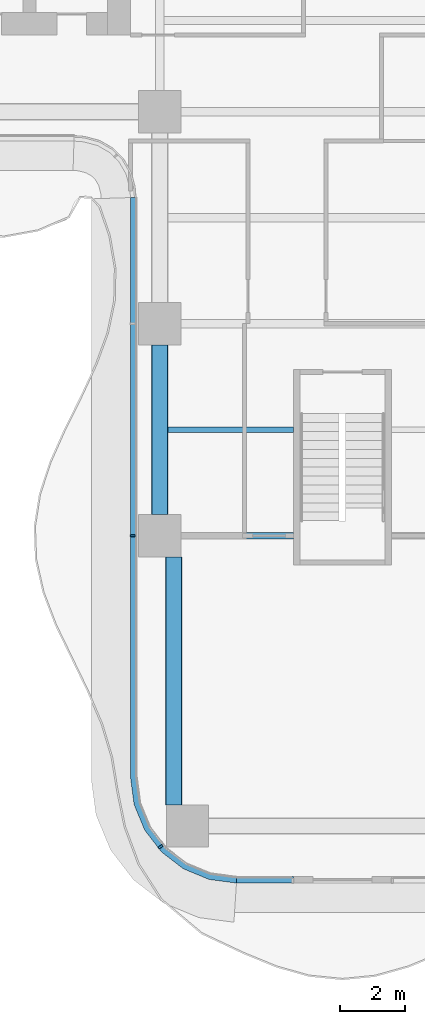
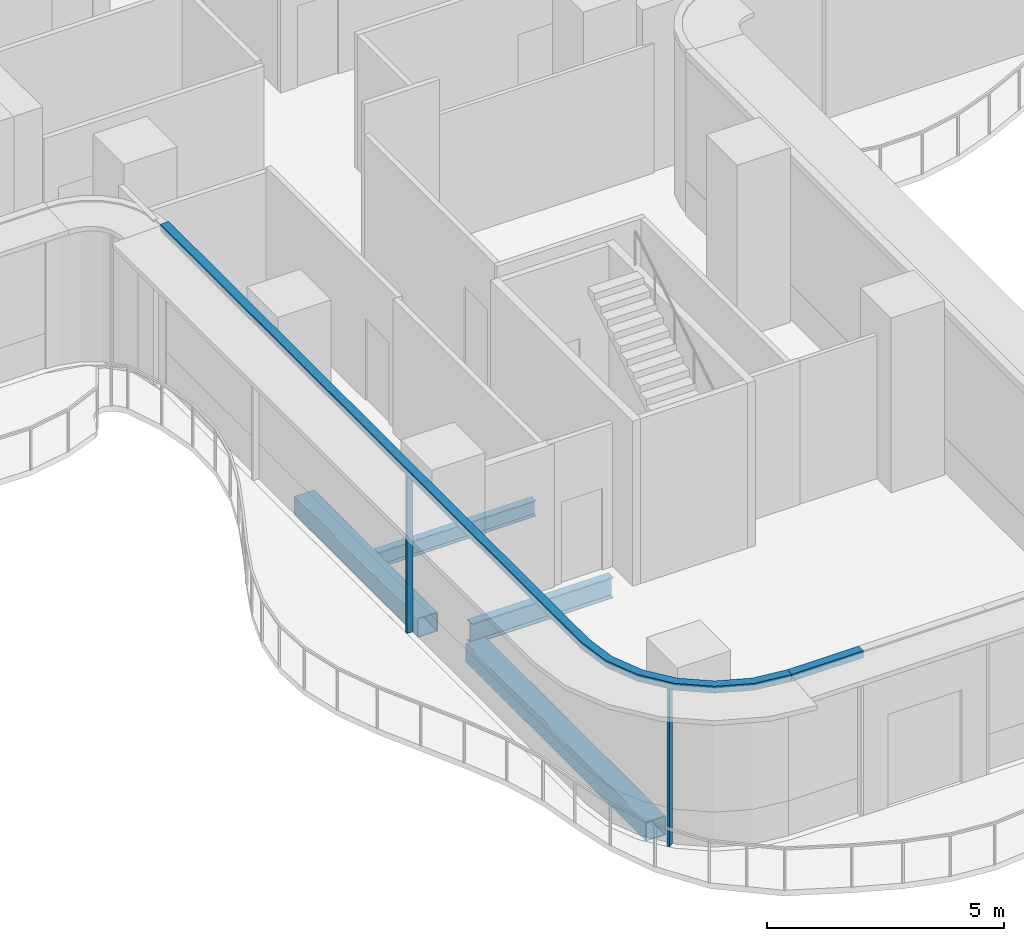
# One storey, part 2 of 21: 4 beams, 4 members, 2 elements without a shape of their own.
"""IFC4 building model written with IfcOpenShell, lengths in metres."""

import ifcopenshell
import ifcopenshell.guid

model = None  # the IFC model being written
_history = None  # IfcOwnerHistory: only IFC2X3 demands one
_inside = {}  # id of a spatial element -> (the spatial element, [elements in it])
_under = {}  # id of a project, library or spatial element -> (it, [spatial elements below it])
_declared = {}  # id of a project -> (the project, [libraries it declares])
_typed = {}  # id of a type object -> (the type object, [elements of that type])
_made_of = {}  # id of a material, layer set ... -> (it, [elements and type objects made of it])


def new_model(schema):
    """Start an empty IFC model of exactly this schema.

    Asked for "IFC4X3", IfcOpenShell would pick the latest addendum, in which some entities
    have other attributes; the version numbers below select the first issue.
    IFC2X3 requires an IfcOwnerHistory on every rooted entity: one is made here for all.
    """
    global model, _history
    if schema == "IFC4X3":
        model = ifcopenshell.file(schema_version=(4, 3, 0, 0))
    else:
        model = ifcopenshell.file(schema=schema)
    _inside.clear()
    _under.clear()
    _declared.clear()
    _typed.clear()
    _made_of.clear()
    _history = None
    if model.schema == "IFC2X3":
        org = make("IfcOrganization", Name="unknown")
        user = make(
            "IfcPersonAndOrganization",
            ThePerson=make("IfcPerson", FamilyName="unknown"),
            TheOrganization=org,
        )
        app = make(
            "IfcApplication",
            ApplicationDeveloper=org,
            Version="unknown",
            ApplicationFullName="unknown",
            ApplicationIdentifier="unknown",
        )
        _history = make(
            "IfcOwnerHistory",
            OwningUser=user,
            OwningApplication=app,
            ChangeAction="ADDED",
            CreationDate=0,
        )
    return model


def make(cls, **values):
    """One entity of the class cls with the attributes given. An attribute that is None is left unset."""
    return model.create_entity(
        cls, **{name: value for name, value in values.items() if value is not None}
    )


def rooted(cls, **values):
    """An entity with a GlobalId (a new one), such as an element, a storey or a relation."""
    return make(cls, GlobalId=ifcopenshell.guid.new(), OwnerHistory=_history, **values)


def si_unit(unit_type, name, prefix=None):
    """IfcSIUnit, for example si_unit("LENGTHUNIT", "METRE", prefix="MILLI")."""
    return make("IfcSIUnit", UnitType=unit_type, Prefix=prefix, Name=name)


def assignment(units):
    """IfcUnitAssignment: the units of a project."""
    return None if units is None else make("IfcUnitAssignment", Units=units)


def point(xyz):
    """IfcCartesianPoint."""
    return None if xyz is None else make("IfcCartesianPoint", Coordinates=xyz)


def direction(xyz):
    """IfcDirection."""
    return None if xyz is None else make("IfcDirection", DirectionRatios=xyz)


def frame(location, z_axis=None, x_axis=None):
    """IfcAxis2Placement3D, a coordinate frame: its origin and axes. An axis left out is left unset."""
    return make(
        "IfcAxis2Placement3D",
        Location=point(location),
        Axis=direction(z_axis),
        RefDirection=direction(x_axis),
    )


def frame_2d(location, x_axis=None):
    """IfcAxis2Placement2D, a coordinate frame in the plane: its origin and x axis."""
    return make(
        "IfcAxis2Placement2D", Location=point(location), RefDirection=direction(x_axis)
    )


def origin():
    """The frame at (0, 0, 0) with its axes left unset."""
    return frame((0.0, 0.0, 0.0))


def origin_2d():
    """The frame at (0, 0) in the plane with its x axis left unset."""
    return frame_2d((0.0, 0.0))


def place(relative_to, where):
    """IfcLocalPlacement: puts the frame where relative to a parent placement (None: the world)."""
    return make(
        "IfcLocalPlacement", PlacementRelTo=relative_to, RelativePlacement=where
    )


def context(
    kind, dimensions, precision=None, world=None, true_north=None, identifier=None
):
    """IfcGeometricRepresentationContext, for example the 3D "Model" context."""
    return make(
        "IfcGeometricRepresentationContext",
        ContextIdentifier=identifier,
        ContextType=kind,
        CoordinateSpaceDimension=dimensions,
        Precision=precision,
        WorldCoordinateSystem=world,
        TrueNorth=true_north,
    )


def subcontext(parent, identifier, kind, view, scale=None):
    """IfcGeometricRepresentationSubContext, for example "Body" below "Model"."""
    return make(
        "IfcGeometricRepresentationSubContext",
        ContextIdentifier=identifier,
        ContextType=kind,
        ParentContext=parent,
        TargetScale=scale,
        TargetView=view,
    )


def project(units=None, contexts=None):
    """IfcProject with its units and contexts."""
    return rooted(
        "IfcProject",
        Name="project",
        RepresentationContexts=contexts,
        UnitsInContext=assignment(units),
    )


def spatial(cls, under=None, at=None, **own):
    """A site, building, storey or space (cls), placed at a placement, below another one or the project."""
    s = rooted(cls, ObjectPlacement=at, **own)
    if under is not None:
        _under.setdefault(under.id(), (under, []))[1].append(s)
    return s


def polyline(points):
    """IfcPolyline through the points."""
    return make("IfcPolyline", Points=[point(p) for p in points])


def profile(cls, at=None, kind="AREA", **sizes):
    """A parametric profile (cls). Its sizes go by their IFC names, for example OverallWidth=200.0."""
    return make(cls, ProfileType=kind, Position=at, **sizes)


def rectangle(**sizes):
    """IfcRectangleProfileDef."""
    return profile("IfcRectangleProfileDef", **sizes)


def hollow_rectangle(**sizes):
    """IfcRectangleHollowProfileDef."""
    return profile("IfcRectangleHollowProfileDef", **sizes)


def i_section(**sizes):
    """IfcIShapeProfileDef."""
    return profile("IfcIShapeProfileDef", **sizes)


def outline(outer, holes=None, kind="AREA"):
    """IfcArbitraryClosedProfileDef: a profile drawn as a closed curve; with holes, ...WithVoids."""
    if holes is None:
        return make("IfcArbitraryClosedProfileDef", ProfileType=kind, OuterCurve=outer)
    return make(
        "IfcArbitraryProfileDefWithVoids",
        ProfileType=kind,
        OuterCurve=outer,
        InnerCurves=holes,
    )


def extrude(swept, where, along, depth):
    """IfcExtrudedAreaSolid: the profile swept, set in the frame where, extruded along a direction by depth."""
    return make(
        "IfcExtrudedAreaSolid",
        SweptArea=swept,
        Position=where,
        ExtrudedDirection=direction(along),
        Depth=depth,
    )


def shape(context_of_items, identifier, shape_type, items):
    """IfcShapeRepresentation: the items that make up one representation, for example the "Body"."""
    return make(
        "IfcShapeRepresentation",
        ContextOfItems=context_of_items,
        RepresentationIdentifier=identifier,
        RepresentationType=shape_type,
        Items=items,
    )


def source(mapping_origin, context_of_items, identifier, shape_type, items):
    """IfcRepresentationMap: a shape defined once, which mapped items show again and again."""
    return make(
        "IfcRepresentationMap",
        MappingOrigin=mapping_origin,
        MappedRepresentation=shape(context_of_items, identifier, shape_type, items),
    )


def transform(
    local_origin,
    x_axis=None,
    y_axis=None,
    z_axis=None,
    scale=None,
    scale2=None,
    scale3=None,
    uniform=True,
):
    """IfcCartesianTransformationOperator3D, or its non-uniform kind. x_axis, y_axis, z_axis: its Axis1, 2, 3."""
    if uniform:
        return make(
            "IfcCartesianTransformationOperator3D",
            Axis1=direction(x_axis),
            Axis2=direction(y_axis),
            LocalOrigin=point(local_origin),
            Scale=scale,
            Axis3=direction(z_axis),
        )
    return make(
        "IfcCartesianTransformationOperator3DnonUniform",
        Axis1=direction(x_axis),
        Axis2=direction(y_axis),
        LocalOrigin=point(local_origin),
        Scale=scale,
        Axis3=direction(z_axis),
        Scale2=scale2,
        Scale3=scale3,
    )


def mapped(mapping_source, mapping_target):
    """IfcMappedItem: shows the shape of a source again, moved by a transform."""
    return make(
        "IfcMappedItem", MappingSource=mapping_source, MappingTarget=mapping_target
    )


def material(Name=None, Category=None):
    """IfcMaterial."""
    return make("IfcMaterial", Name=Name, Category=Category)


def layer(
    of_material, thickness, ventilated=None, Name=None, Category=None, Priority=None
):
    """IfcMaterialLayer: one layer of a wall or slab, of a material (None: an air gap)."""
    return make(
        "IfcMaterialLayer",
        Material=of_material,
        LayerThickness=thickness,
        IsVentilated=ventilated,
        Name=Name,
        Category=Category,
        Priority=Priority,
    )


def layer_set(layers, Name=None):
    """IfcMaterialLayerSet."""
    return make("IfcMaterialLayerSet", MaterialLayers=layers, LayerSetName=Name)


def material_profile(
    of_material, cross_section, Name=None, Category=None, Priority=None
):
    """IfcMaterialProfile: a cross section and its material."""
    return make(
        "IfcMaterialProfile",
        Name=Name,
        Material=of_material,
        Profile=cross_section,
        Priority=Priority,
        Category=Category,
    )


def profile_set(profiles, Name=None, composite=None):
    """IfcMaterialProfileSet."""
    return make(
        "IfcMaterialProfileSet",
        Name=Name,
        MaterialProfiles=profiles,
        CompositeProfile=composite,
    )


def made_of(thing, what):
    """Note that an element or type object is made of a material, layer set ...; save() writes the relation."""
    if what is not None:
        _made_of.setdefault(what.id(), (what, []))[1].append(thing)
    return thing


def type_object(cls, material=None, **own):
    """A type object (cls), such as IfcWallType, which elements share."""
    return made_of(rooted(cls, **own), material)


def element(
    cls,
    number,
    at=None,
    inside=None,
    cuts=None,
    type_object=None,
    material=None,
    context=None,
    identifier="Body",
    shape_type=None,
    held_by="IfcProductDefinitionShape",
    body=None,
    shapes=None,
    **own,
):
    """One element of the class cls, such as IfcWall. Its Tag is "e" and its number.

    at: its placement. inside: the storey or other place that contains it. cuts: it is an
    opening in that element (IfcRelVoidsElement). A single representation is given by context,
    identifier, shape_type and body (its items); several are given by shapes. held_by: the class
    of the entity that holds the representations. save() writes the other relations.
    """
    e = rooted(cls, Tag="e%d" % number, ObjectPlacement=at, **own)
    if body is not None:
        shapes = [shape(context, identifier, shape_type, body)]
    if shapes is not None:
        e.Representation = make(held_by, Representations=shapes)
    if inside is not None:
        _inside.setdefault(inside.id(), (inside, []))[1].append(e)
    if cuts is not None:
        rooted(
            "IfcRelVoidsElement", RelatingBuildingElement=cuts, RelatedOpeningElement=e
        )
    if type_object is not None:
        _typed.setdefault(type_object.id(), (type_object, []))[1].append(e)
    return made_of(e, material)


def aggregate(whole, parts):
    """IfcRelAggregates: a whole, such as a stair, and the parts it consists of."""
    return rooted("IfcRelAggregates", RelatingObject=whole, RelatedObjects=parts)


def save(model, path):
    """Write the relations noted so far, then the file.

    IfcRelAggregates (storeys below a building ...), IfcRelContainedInSpatialStructure (elements
    in a storey), IfcRelDefinesByType, IfcRelAssociatesMaterial and IfcRelDeclares: one each for
    every whole, place, type object, material and project.
    """
    for whole, parts in _under.values():
        aggregate(whole, parts)
    for where, things in _inside.values():
        rooted(
            "IfcRelContainedInSpatialStructure",
            RelatedElements=things,
            RelatingStructure=where,
        )
    for kind, things in _typed.values():
        rooted("IfcRelDefinesByType", RelatedObjects=things, RelatingType=kind)
    for what, things in _made_of.values():
        rooted("IfcRelAssociatesMaterial", RelatedObjects=things, RelatingMaterial=what)
    for by, libraries in _declared.values():
        rooted("IfcRelDeclares", RelatingContext=by, RelatedDefinitions=libraries)
    model.write(path)


model = new_model("IFC4")

# Units and contexts
model_context = context("Model", 3, precision=1e-05, world=origin(), true_north=direction((0.0, 1.0)))
body_context = subcontext(model_context, "Body", "Model", "MODEL_VIEW")
ifc_project = project(units=[si_unit("LENGTHUNIT", "METRE"), si_unit("AREAUNIT", "SQUARE_METRE"), si_unit("VOLUMEUNIT", "CUBIC_METRE"), si_unit("PLANEANGLEUNIT", "RADIAN"), si_unit("MASSUNIT", "GRAM", prefix="KILO")], contexts=[model_context])

# Site, building, storey
site_placement = place(None, origin())
site = spatial("IfcSite", under=ifc_project, at=site_placement, CompositionType="ELEMENT")
building_placement = place(site_placement, origin())
building = spatial("IfcBuilding", under=site, at=building_placement, Name="Trellis Farm Tower", CompositionType="ELEMENT")
storey_placement = place(building_placement, frame((0.0, 0.0, 97.5)))
storey = spatial("IfcBuildingStorey", under=building, at=storey_placement, Name="L20", CompositionType="ELEMENT", Elevation=97.5)

# Beams
ifc_material_1 = material(Name="Steel S355", Category="steel")
ifc_material_profile_1 = material_profile(ifc_material_1, i_section(OverallWidth=0.209228515625, OverallDepth=0.533203125, WebThickness=0.010009765625, FlangeThickness=0.015625, FilletRadius=0.0126953125, at=origin_2d()), Name="UB 533x210x92")
ifc_profile_set_1 = profile_set([ifc_material_profile_1], Name="Steel S355")
beam_type_1 = type_object("IfcBeamType", Name="UB 533x210x92", PredefinedType="BEAM", material=ifc_profile_set_1)
shared_shape_1 = source(origin(), body_context, "Body", "SweptSolid", [
    extrude(i_section(OverallWidth=0.209228515625, OverallDepth=0.533203125, WebThickness=0.010009765625, FlangeThickness=0.015625, FilletRadius=0.0126953125, at=origin_2d()), origin(), (0.0, 0.0, 1.0), 3.449951171875),
])
beam_1_placement = place(storey_placement, frame((-4.949951171875, -18.60009765625, -0.5166015625), z_axis=(1.0, 0.0, 0.0), x_axis=(0.0, 1.0, 0.0)))
element("IfcBeam", 1, at=beam_1_placement, inside=storey, type_object=beam_type_1, Name="Girder", PredefinedType="BEAM", context=body_context, shape_type="MappedRepresentation", body=[
    mapped(shared_shape_1, transform((0.0, 0.0, 0.0))),
])
ifc_material_profile_2 = material_profile(ifc_material_1, hollow_rectangle(XDim=0.5, YDim=0.5, WallThickness=0.02001953125, InnerFilletRadius=0.02001953125, OuterFilletRadius=0.030029296875, at=origin_2d()), Name="SHS 500x500x20")
ifc_profile_set_2 = profile_set([ifc_material_profile_2], Name="Steel S355")
beam_type_2 = type_object("IfcBeamType", Name="SHS 500x500x20", PredefinedType="BEAM", material=ifc_profile_set_2)
shared_shape_2 = source(origin(), body_context, "Body", "SweptSolid", [
    extrude(hollow_rectangle(XDim=0.5, YDim=0.5, WallThickness=0.02001953125, InnerFilletRadius=0.02001953125, OuterFilletRadius=0.030029296875, at=origin_2d()), origin(), (0.0, 0.0, 1.0), 5.199951171875),
])
beam_2_placement = place(storey_placement, frame((-5.60009765625, -17.949951171875, -0.5), z_axis=(0.0, 1.0, 0.0), x_axis=(-1.0, 0.0, 0.0)))
element("IfcBeam", 2, at=beam_2_placement, inside=storey, type_object=beam_type_2, Name="Girder", PredefinedType="BEAM", context=body_context, shape_type="MappedRepresentation", body=[
    mapped(shared_shape_2, transform((0.0, 0.0, 0.0))),
])
shared_shape_3 = source(origin(), body_context, "Body", "SweptSolid", [
    extrude(hollow_rectangle(XDim=0.5, YDim=0.5, WallThickness=0.02001953125, InnerFilletRadius=0.02001953125, OuterFilletRadius=0.030029296875, at=origin_2d()), origin(), (0.0, 0.0, 1.0), 7.60009765625),
])
beam_3_placement = place(storey_placement, frame((-5.175048828125, -26.85009765625, -0.5), z_axis=(0.0, 1.0, 0.0), x_axis=(-1.0, 0.0, 0.0)))
element("IfcBeam", 3, at=beam_3_placement, inside=storey, type_object=beam_type_2, Name="Girder", PredefinedType="BEAM", context=body_context, shape_type="MappedRepresentation", body=[
    mapped(shared_shape_3, transform((0.0, 0.0, 0.0))),
])
ifc_material_profile_3 = material_profile(ifc_material_1, i_section(OverallWidth=0.177978515625, OverallDepth=0.406494140625, WebThickness=0.0078125, FlangeThickness=0.0126953125, FilletRadius=0.01025390625, at=origin_2d()), Name="UB 406x178x60")
ifc_profile_set_3 = profile_set([ifc_material_profile_3], Name="Steel S355")
beam_type_3 = type_object("IfcBeamType", Name="UB 406x178x60 joist", PredefinedType="JOIST", material=ifc_profile_set_3)
shared_shape_4 = source(origin(), body_context, "Body", "SweptSolid", [
    extrude(i_section(OverallWidth=0.177978515625, OverallDepth=0.406494140625, WebThickness=0.0078125, FlangeThickness=0.0126953125, FilletRadius=0.01025390625, at=origin_2d()), origin(), (0.0, 0.0, 1.0), 3.85009765625),
])
beam_4_placement = place(storey_placement, frame((-5.35009765625, -15.35009765625, -0.453125), z_axis=(1.0, 0.0, 0.0), x_axis=(0.0, 1.0, 0.0)))
element("IfcBeam", 4, at=beam_4_placement, inside=storey, type_object=beam_type_3, Name="Floor beam", PredefinedType="JOIST", context=body_context, shape_type="MappedRepresentation", body=[
    mapped(shared_shape_4, transform((0.0, 0.0, 0.0))),
])

# Curtain wall, members
ifc_material_2 = material(Name="Aluminium and glass curtain wall", Category="aluminium")
ifc_layer_1 = layer(ifc_material_2, 0.18994140625)
ifc_layer_set_1 = layer_set([ifc_layer_1], Name="RIBBON CURTAIN WALL CW1")
curtain_wall_type = type_object("IfcCurtainWallType", Name="RIBBON CURTAIN WALL CW1", PredefinedType="NOTDEFINED", material=ifc_layer_set_1)
placement_1 = place(storey_placement, origin())
curtain_wall_1 = element("IfcCurtainWall", 5, at=placement_1, inside=storey, type_object=curtain_wall_type, Name="CW1 002", PredefinedType="NOTDEFINED")
ifc_material_3 = material(Name="Aluminium extrusion 6063-T6", Category="aluminium")
ifc_material_profile_4 = material_profile(ifc_material_3, rectangle(XDim=0.06005859375, YDim=0.14990234375, at=origin_2d()), Name="MULLION 60x150")
ifc_profile_set_4 = profile_set([ifc_material_profile_4], Name="Aluminium extrusion 6063-T6")
member_type_1 = type_object("IfcMemberType", Name="CW1 MULLION 60x150", PredefinedType="MULLION", material=ifc_profile_set_4)
shared_shape_5 = source(origin(), body_context, "Body", "SweptSolid", [
    extrude(rectangle(XDim=0.06005859375, YDim=0.14990234375, at=origin_2d()), origin(), (0.0, 0.0, 1.0), 4.070068359375),
])
member_1_placement = place(storey_placement, frame((-6.425048828125, -18.60009765625, 0.0), z_axis=(0.0, 0.0, 1.0), x_axis=(0.0, -1.0, 0.0)))
member_1 = element("IfcMember", 6, at=member_1_placement, type_object=member_type_1, Name="MU1 002-02", PredefinedType="MULLION", context=body_context, shape_type="MappedRepresentation", body=[
    mapped(shared_shape_5, transform((0.0, 0.0, 0.0))),
])
member_2_placement = place(storey_placement, frame((-5.578369140625, -28.135498046875, 0.0), z_axis=(0.0, 0.0, 1.0), x_axis=(0.608761429009, -0.793353340291, 0.0)))
member_2 = element("IfcMember", 7, at=member_2_placement, type_object=member_type_1, Name="MU1 002-03", PredefinedType="MULLION", context=body_context, shape_type="MappedRepresentation", body=[
    mapped(shared_shape_5, transform((0.0, 0.0, 0.0))),
])
ifc_layer_2 = layer(ifc_material_3, 0.199951171875)
ifc_layer_set_2 = layer_set([ifc_layer_2], Name="Aluminium extrusion 6063-T6")
member_type_2 = type_object("IfcMemberType", Name="CW1 TRANSOM 200x180", PredefinedType="USERDEFINED", material=ifc_layer_set_2)
shared_shape_6 = source(origin(), body_context, "Body", "SweptSolid", [
    extrude(outline(polyline([(-6.5, -8.2314453125), (-6.5, -26.0), (-6.38916015625, -26.841064453125), (-6.064697265625, -27.625), (-5.548095703125, -28.298095703125), (-4.875, -28.814697265625), (-4.091064453125, -29.13916015625), (-3.25, -29.25), (-3.23681640625, -29.050048828125), (-4.0390625, -28.9443359375), (-4.774169921875, -28.639892578125), (-5.405517578125, -28.155517578125), (-5.889892578125, -27.524169921875), (-6.1943359375, -26.7890625), (-6.300048828125, -25.98681640625), (-6.300048828125, -8.224853515625), (-6.5, -8.2314453125)])), origin(), (0.0, 0.0, 1.0), 0.179931640625),
])
placement_2 = place(storey_placement, frame((0.0, 0.0, 4.070068359375)))
member_3 = element("IfcMember", 8, at=placement_2, type_object=member_type_2, Name="TR1 002", ObjectType="TRANSOM", PredefinedType="USERDEFINED", context=body_context, shape_type="MappedRepresentation", body=[
    mapped(shared_shape_6, transform((0.0, 0.0, 0.0))),
])
aggregate(curtain_wall_1, [member_1, member_2, member_3])

# Curtain wall, member
curtain_wall_2 = element("IfcCurtainWall", 9, at=placement_1, inside=storey, type_object=curtain_wall_type, Name="CW1 003", PredefinedType="NOTDEFINED")
shared_shape_7 = source(origin(), body_context, "Body", "SweptSolid", [
    extrude(outline(polyline([(-3.25, -29.25), (-1.5, -29.25), (-1.5, -29.050048828125), (-3.23681640625, -29.050048828125), (-3.25, -29.25)])), origin(), (0.0, 0.0, 1.0), 0.179931640625),
])
member_4 = element("IfcMember", 10, at=placement_2, type_object=member_type_2, Name="TR1 003", ObjectType="TRANSOM", PredefinedType="USERDEFINED", context=body_context, shape_type="MappedRepresentation", body=[
    mapped(shared_shape_7, transform((0.0, 0.0, 0.0))),
])
aggregate(curtain_wall_2, [member_4])

save(model, "model.ifc")
